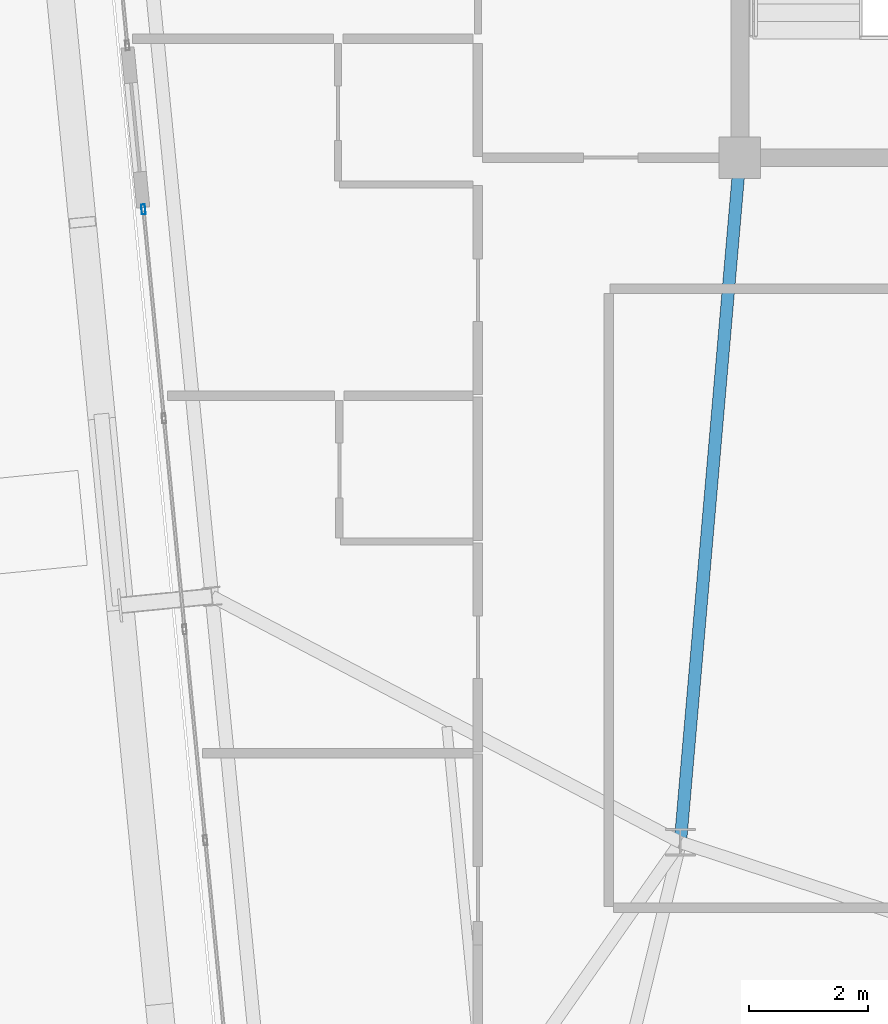
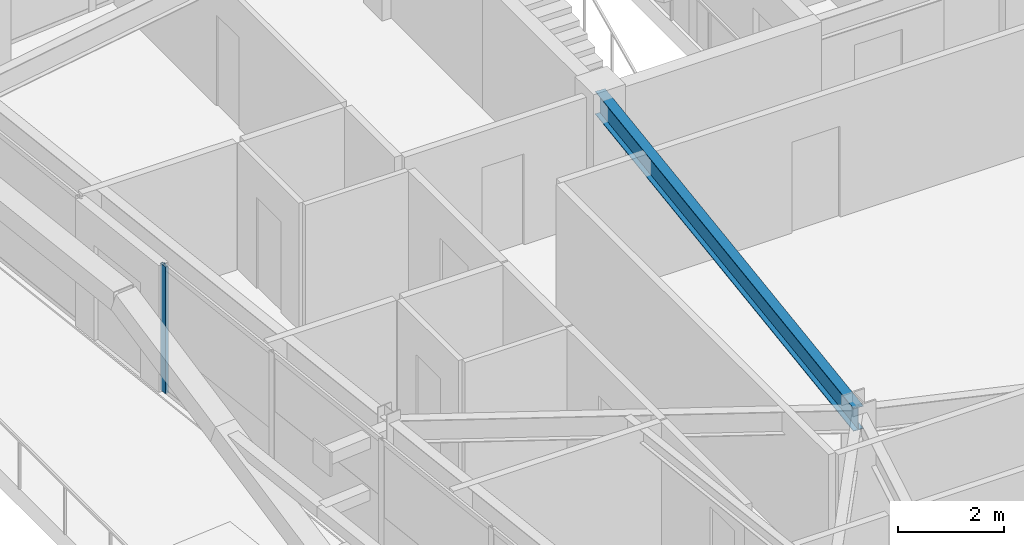
# One storey, part 14 of 51: 1 beam, 1 member, 1 element without a shape of its own.
"""IFC4 building model written with IfcOpenShell, lengths in metres."""

from ifc_helpers import new_model, si_unit, direction, frame, origin, origin_2d, place, context, subcontext, project, spatial, hollow_rectangle, i_section, extrude, source, transform, mapped, material, layer, layer_set, material_profile, profile_set, type_object, element, aggregate, save


model = new_model("IFC4")

# Units and contexts
model_context = context("Model", 3, precision=1e-05, world=origin(), true_north=direction((0.0, 1.0)))
body_context = subcontext(model_context, "Body", "Model", "MODEL_VIEW")
ifc_project = project(units=[si_unit("LENGTHUNIT", "METRE"), si_unit("AREAUNIT", "SQUARE_METRE"), si_unit("VOLUMEUNIT", "CUBIC_METRE"), si_unit("PLANEANGLEUNIT", "RADIAN"), si_unit("MASSUNIT", "GRAM", prefix="KILO")], contexts=[model_context])

# Site, building, storey
site_placement = place(None, origin())
site = spatial("IfcSite", under=ifc_project, at=site_placement, CompositionType="ELEMENT")
building_placement = place(site_placement, origin())
building = spatial("IfcBuilding", under=site, at=building_placement, Name="Taldren Reach Tower", CompositionType="ELEMENT")
storey_placement = place(building_placement, frame((0.0, 0.0, 65.10009765625)))
storey = spatial("IfcBuildingStorey", under=building, at=storey_placement, Name="L19", CompositionType="ELEMENT", Elevation=65.10009765625)

# Beam
ifc_material_1 = material(Name="Steel Gr 350 (350PLUS)", Category="steel")
ifc_material_profile_1 = material_profile(ifc_material_1, i_section(OverallWidth=0.208984375, OverallDepth=0.532958984375, WebThickness=0.01025390625, FlangeThickness=0.015625, at=origin_2d()), Name="530UB92.4")
ifc_profile_set_1 = profile_set([ifc_material_profile_1], Name="Steel Gr 350 (350PLUS)")
beam_type = type_object("IfcBeamType", Name="BM-UB530A", PredefinedType="BEAM", material=ifc_profile_set_1)
shared_shape_1 = source(origin(), body_context, "Body", "SweptSolid", [
    extrude(i_section(OverallWidth=0.208984375, OverallDepth=0.532958984375, WebThickness=0.01025390625, FlangeThickness=0.015625, at=origin_2d()), origin(), (0.0, 0.0, 1.0), 11.54345703125),
])
beam_placement = place(storey_placement, frame((19.0, 24.0, 2.663330078125), z_axis=(-0.086629616365, -0.996240588196, 0.0), x_axis=(0.996240588196, -0.086629616365, 0.0)))
element("IfcBeam", 1, at=beam_placement, inside=storey, type_object=beam_type, Name="Core-spine girder L19-SP09", PredefinedType="BEAM", context=body_context, shape_type="MappedRepresentation", body=[
    mapped(shared_shape_1, transform((0.0, 0.0, 0.0), scale=1.0)),
])

# Curtain wall, member
ifc_material_2 = material(Name="Aluminium and Low-E Glass Unitised System", Category="aluminium")
ifc_layer = layer(ifc_material_2, 0.159912109375)
ifc_layer_set = layer_set([ifc_layer], Name="Aluminium and Low-E Glass Unitised System")
curtain_wall_type = type_object("IfcCurtainWallType", Name="CW-SYS-3", PredefinedType="NOTDEFINED", material=ifc_layer_set)
curtain_wall_placement = place(storey_placement, origin())
curtain_wall = element("IfcCurtainWall", 2, at=curtain_wall_placement, inside=storey, type_object=curtain_wall_type, Name="Unitised curtain wall CW-L19-W2", PredefinedType="NOTDEFINED")
ifc_material_3 = material(Name="Anodised Aluminium 6063-T6", Category="aluminium")
ifc_material_profile_2 = material_profile(ifc_material_3, hollow_rectangle(XDim=0.06494140625, YDim=0.1650390625, WallThickness=0.00390625, at=origin_2d()), Name="ALU-165x65x4RHS")
ifc_profile_set_2 = profile_set([ifc_material_profile_2], Name="Anodised Aluminium 6063-T6")
member_type = type_object("IfcMemberType", Name="CW-MUL-165", PredefinedType="MULLION", material=ifc_profile_set_2)
shared_shape_2 = source(origin(), body_context, "Body", "SweptSolid", [
    extrude(hollow_rectangle(XDim=0.06494140625, YDim=0.1650390625, WallThickness=0.00390625, at=origin_2d()), origin(), (0.0, 0.0, 1.0), 2.929931640625),
])
member_placement = place(storey_placement, frame((8.980712890625, 23.13232421875, 0.0), z_axis=(0.0, 0.0, 1.0), x_axis=(0.995227392345, 0.097582977646, 0.0)))
member = element("IfcMember", 3, at=member_placement, type_object=member_type, Name="CW-3 mullion 1", PredefinedType="MULLION", context=body_context, shape_type="MappedRepresentation", body=[
    mapped(shared_shape_2, transform((0.0, 0.0, 0.0), scale=1.0)),
])
aggregate(curtain_wall, [member])

save(model, "model.ifc")
